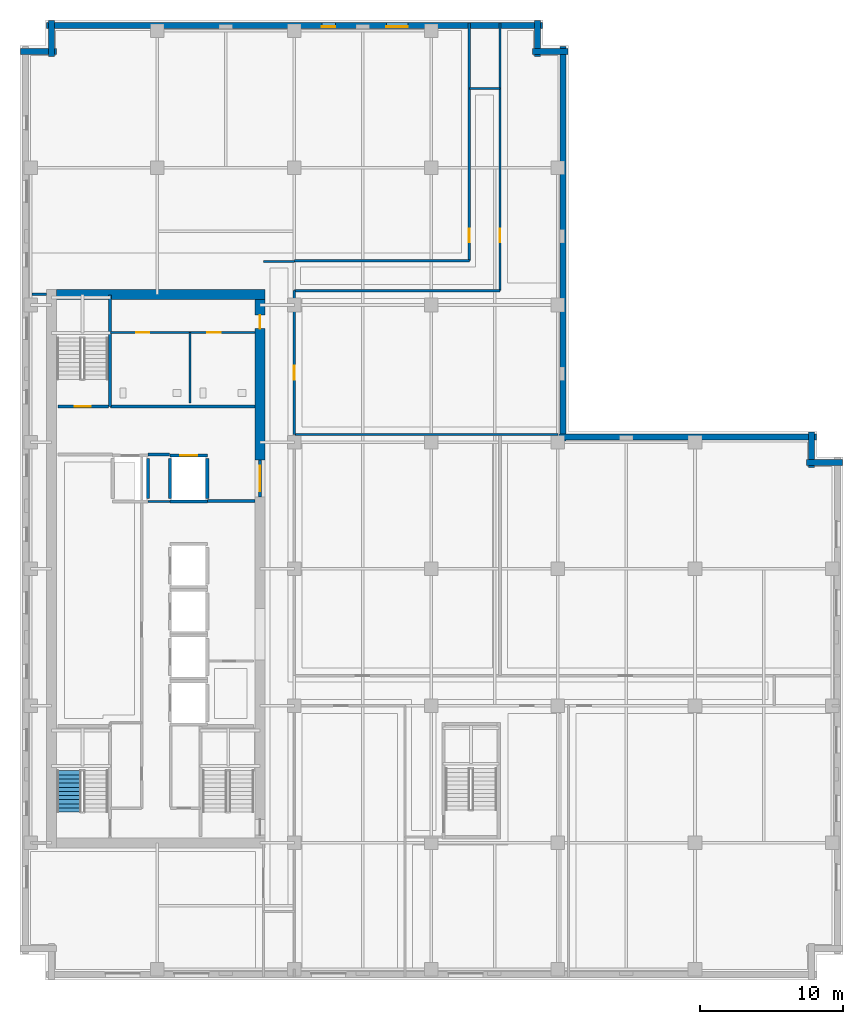
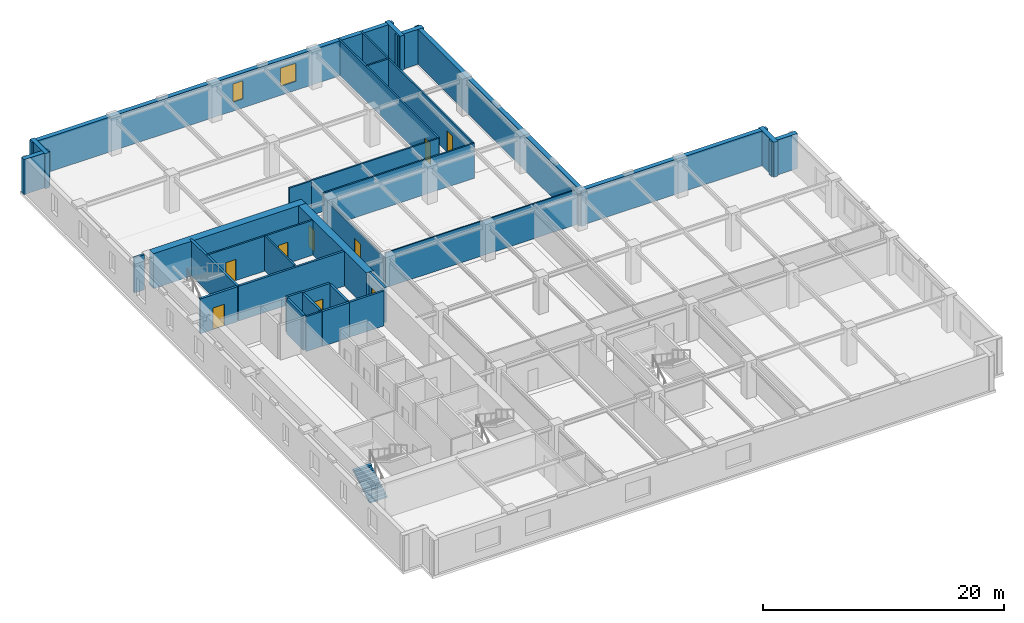
# One storey, part 7 of 13: 34 walls, 9 doors, 2 windows, 1 stair flight, 11 openings, 1 element without a shape of its own.
"""IFC4 building model written with IfcOpenShell, lengths in metres."""

from ifc_helpers import new_model, si_unit, direction, frame, frame_2d, origin, place, context, subcontext, project, spatial, polyline, rectangle, outline, extrude, material, layer, layer_set, type_object, element, fill, aggregate, save


model = new_model("IFC4")

# Units and contexts
model_context = context("Model", 3, precision=1e-05, world=origin(), true_north=direction((0.0, 1.0)))
body_context = subcontext(model_context, "Body", "Model", "MODEL_VIEW")
ifc_project = project(units=[si_unit("LENGTHUNIT", "METRE"), si_unit("AREAUNIT", "SQUARE_METRE"), si_unit("VOLUMEUNIT", "CUBIC_METRE"), si_unit("PLANEANGLEUNIT", "RADIAN"), si_unit("MASSUNIT", "GRAM", prefix="KILO")], contexts=[model_context])

# Site, building, storey
site_placement = place(None, origin())
site = spatial("IfcSite", under=ifc_project, at=site_placement, CompositionType="ELEMENT")
building_placement = place(site_placement, origin())
building = spatial("IfcBuilding", under=site, at=building_placement, Name="Norrvale University Quadrangle", CompositionType="ELEMENT")
storey_placement = place(building_placement, frame((0.0, 0.0, 159.800048828125)))
storey = spatial("IfcBuildingStorey", under=building, at=storey_placement, Name="L40", CompositionType="ELEMENT", Elevation=159.800048828125)

# Walls
ifc_material_1 = material(Name="Buff Norman Clay Brick Masonry", Category="masonry")
ifc_layer_1 = layer(ifc_material_1, 0.419921875, Name="Buff Norman Clay Brick Masonry")
ifc_layer_set_1 = layer_set([ifc_layer_1], Name="Buff Norman Clay Brick Masonry")
wall_type_1 = type_object("IfcWallType", Name="Wall Buff Brick 420", PredefinedType="SOLIDWALL", material=ifc_layer_set_1)
for number, where, z_axis, x_axis, name in (
    (1, (57.56005859375, 36.2099609375, 0.0), (0.0, 0.0, 1.0), (-1.0, 0.0, 0.0), "Exterior Brick Facade Wall L40-05.1"),
    (2, (55.409912109375, 35.860107421875, 0.0), (0.0, 0.0, 1.0), (0.0, 1.0, 0.0), "Exterior Brick Facade Wall L40-06.1"),
):
    element("IfcWall", number, at=place(storey_placement, frame(where, z_axis=z_axis, x_axis=x_axis)), inside=storey, type_object=wall_type_1, Name=name, PredefinedType="SOLIDWALL", context=body_context, shape_type="SweptSolid", body=[
        extrude(rectangle(XDim=2.5, YDim=0.419921875, at=frame_2d((1.25, 0.0))), origin(), (0.0, 0.0, 1.0), 3.5400390625),
    ])
wall_1_placement = place(storey_placement, frame((55.760009765625, 38.010009765625, 0.0), z_axis=(0.0, 0.0, 1.0), x_axis=(-1.0, 0.0, 0.0)))
element("IfcWall", 3, at=wall_1_placement, inside=storey, type_object=wall_type_1, Name="Exterior Brick Facade Wall L40-07.1", PredefinedType="SOLIDWALL", context=body_context, shape_type="SweptSolid", body=[
    extrude(rectangle(XDim=18.10009765625, YDim=0.419921875, at=frame_2d((9.050048828125, 0.0))), origin(), (0.0, 0.0, 1.0), 3.5400390625),
])
wall_2_placement = place(storey_placement, frame((38.010009765625, 37.659912109375, 0.0), z_axis=(0.0, 0.0, 1.0), x_axis=(0.0, 1.0, 0.0)))
element("IfcWall", 4, at=wall_2_placement, inside=storey, type_object=wall_type_1, Name="Exterior Brick Facade Wall L40-08.1", PredefinedType="SOLIDWALL", context=body_context, shape_type="SweptSolid", body=[
    extrude(rectangle(XDim=27.7001953125, YDim=0.419921875, at=frame_2d((13.85009765625, 0.0))), origin(), (0.0, 0.0, 1.0), 3.5400390625),
])
for number, where, z_axis, x_axis, name in (
    (5, (38.360107421875, 65.010009765625, 0.0), (0.0, 0.0, 1.0), (-1.0, 0.0, 0.0), "Exterior Brick Facade Wall L40-09.1"),
    (6, (36.2099609375, 64.659912109375, 0.0), (0.0, 0.0, 1.0), (0.0, 1.0, 0.0), "Exterior Brick Facade Wall L40-10.1"),
):
    element("IfcWall", number, at=place(storey_placement, frame(where, z_axis=z_axis, x_axis=x_axis)), inside=storey, type_object=wall_type_1, Name=name, PredefinedType="SOLIDWALL", context=body_context, shape_type="SweptSolid", body=[
        extrude(rectangle(XDim=2.5, YDim=0.419921875, at=frame_2d((1.25, 0.0))), origin(), (0.0, 0.0, 1.0), 3.5400390625),
    ])

# Wall, openings, windows
wall_3_placement = place(storey_placement, frame((36.56005859375, 66.81005859375, 0.0), z_axis=(0.0, 0.0, 1.0), x_axis=(-1.0, 0.0, 0.0)))
wall_3 = element("IfcWall", 7, at=wall_3_placement, inside=storey, type_object=wall_type_1, Name="Exterior Brick Facade Wall L40-11.1", PredefinedType="SOLIDWALL", context=body_context, shape_type="SweptSolid", body=[
    extrude(rectangle(XDim=34.719970703125, YDim=0.419921875, at=frame_2d((17.35986328125, 0.0))), origin(), (0.0, 0.0, 1.0), 3.5400390625),
])
opening_1_placement = place(wall_3_placement, frame((9.409912109375, 0.0, 0.89990234375)))
opening_1 = element("IfcOpeningElement", 8, at=opening_1_placement, cuts=wall_3, Name="Opening W03", PredefinedType="OPENING", context=body_context, shape_type="SweptSolid", body=[
    extrude(rectangle(XDim=1.5, YDim=1.85009765625, at=frame_2d((0.75, 0.925048828125))), frame((0.0, 0.221923828125, 0.0), z_axis=(0.0, -1.0, 0.0), x_axis=(1.0, 0.0, 0.0)), (0.0, 0.0, 1.0), 0.44384765625),
])
opening_2_placement = place(wall_3_placement, frame((14.485107421875, 0.0, 0.89990234375)))
opening_2 = element("IfcOpeningElement", 9, at=opening_2_placement, cuts=wall_3, Name="Opening W04", PredefinedType="OPENING", context=body_context, shape_type="SweptSolid", body=[
    extrude(rectangle(XDim=0.949951171875, YDim=1.85009765625, at=frame_2d((0.47509765625, 0.925048828125))), frame((0.0, 0.221923828125, 0.0), z_axis=(0.0, -1.0, 0.0), x_axis=(1.0, 0.0, 0.0)), (0.0, 0.0, 1.0), 0.44384765625),
])
ifc_material_2 = material(Name="Triple Low-E Argon Glazing", Category="glass")
window_type_1 = type_object("IfcWindowType", Name="Window Narrow Pier 950x2300", PartitioningType="SINGLE_PANEL", PredefinedType="WINDOW", material=ifc_material_2)
window_1_placement = place(opening_2_placement, origin())
window_1 = element("IfcWindow", 10, at=window_1_placement, inside=storey, type_object=window_type_1, Name="Window Narrow Pier 950x2300 WIN-L40-E11-1-02", OverallHeight=1.85009765625, OverallWidth=0.949951171875, PartitioningType="SINGLE_PANEL", PredefinedType="WINDOW", context=body_context, shape_type="SweptSolid", body=[
    extrude(rectangle(XDim=0.949951171875, YDim=1.85009765625, at=frame_2d((0.47509765625, 0.925048828125))), frame((0.0, 0.110107421875, 0.0), z_axis=(0.0, -1.0, 0.0), x_axis=(1.0, 0.0, 0.0)), (0.0, 0.0, 1.0), 0.06005859375),
])
fill(opening_2, window_1)
window_type_2 = type_object("IfcWindowType", Name="Window Studio 1500x2300", PartitioningType="DOUBLE_PANEL_VERTICAL", PredefinedType="WINDOW", material=ifc_material_2)
window_2_placement = place(opening_1_placement, origin())
window_2 = element("IfcWindow", 11, at=window_2_placement, inside=storey, type_object=window_type_2, Name="Window Studio 1500x2300 WIN-L40-E11-1-01", OverallHeight=1.85009765625, OverallWidth=1.5, PartitioningType="DOUBLE_PANEL_VERTICAL", PredefinedType="WINDOW", context=body_context, shape_type="SweptSolid", body=[
    extrude(rectangle(XDim=1.5, YDim=1.85009765625, at=frame_2d((0.75, 0.925048828125))), frame((0.0, 0.110107421875, 0.0), z_axis=(0.0, -1.0, 0.0), x_axis=(1.0, 0.0, 0.0)), (0.0, 0.0, 1.0), 0.06005859375),
])
fill(opening_1, window_2)

# Walls
for number, where, z_axis, x_axis, name in (
    (12, (2.18994140625, 67.159912109375, 0.0), (0.0, 0.0, 1.0), (0.0, -1.0, 0.0), "Exterior Brick Facade Wall L40-12.1"),
    (13, (2.5400390625, 65.010009765625, 0.0), (0.0, 0.0, 1.0), (-1.0, 0.0, 0.0), "Exterior Brick Facade Wall L40-13.1"),
):
    element("IfcWall", number, at=place(storey_placement, frame(where, z_axis=z_axis, x_axis=x_axis)), inside=storey, type_object=wall_type_1, Name=name, PredefinedType="SOLIDWALL", context=body_context, shape_type="SweptSolid", body=[
        extrude(rectangle(XDim=2.5, YDim=0.419921875, at=frame_2d((1.25, 0.0))), origin(), (0.0, 0.0, 1.0), 3.5400390625),
    ])
ifc_material_3 = material(Name="Concrete C60/75", Category="concrete")
ifc_layer_2 = layer(ifc_material_3, 0.699951171875, Name="Concrete C60/75")
ifc_layer_set_2 = layer_set([ifc_layer_2], Name="Concrete C60/75")
wall_type_2 = type_object("IfcWallType", Name="Wall Core 700", PredefinedType="SHEAR", material=ifc_layer_set_2)
wall_4_placement = place(storey_placement, frame((2.550048828125, 48.0, 0.0), z_axis=(0.0, 0.0, 1.0), x_axis=(1.0, 0.0, 0.0)))
element("IfcWall", 14, at=wall_4_placement, inside=storey, type_object=wall_type_2, Name="Tower Core Shear Wall L40-N", PredefinedType="SHEAR", context=body_context, shape_type="SweptSolid", body=[
    extrude(rectangle(XDim=14.599853515625, YDim=0.699951171875, at=frame_2d((7.2998046875, 0.0))), origin(), (0.0, 0.0, 1.0), 3.5400390625),
])

# Wall, opening, door
wall_5_placement = place(storey_placement, frame((16.800048828125, 36.39990234375, 0.0), z_axis=(0.0, 0.0, 1.0), x_axis=(0.0, 1.0, 0.0)))
wall_5 = element("IfcWall", 15, at=wall_5_placement, inside=storey, type_object=wall_type_2, Name="Tower Core Shear Wall L40-E3", PredefinedType="SHEAR", context=body_context, shape_type="SweptSolid", body=[
    extrude(rectangle(XDim=11.25, YDim=0.699951171875, at=frame_2d((5.625, 0.0))), origin(), (0.0, 0.0, 1.0), 3.5400390625),
])
opening_3_placement = place(wall_5_placement, frame((9.199951171875, 0.0, 0.0)))
opening_3 = element("IfcOpeningElement", 16, at=opening_3_placement, cuts=wall_5, Name="Opening D07", PredefinedType="OPENING", context=body_context, shape_type="SweptSolid", body=[
    extrude(rectangle(XDim=0.949951171875, YDim=2.14990234375, at=frame_2d((0.47509765625, 1.074951171875))), frame((0.0, 0.362060546875, 0.0), z_axis=(0.0, -1.0, 0.0), x_axis=(1.0, 0.0, 0.0)), (0.0, 0.0, 1.0), 0.723876953125),
])
ifc_material_4 = material(Name="Solid-Core Maple Door", Category="wood")
door_type_1 = type_object("IfcDoorType", Name="Door Office 950x2150", OperationType="NOTDEFINED", PredefinedType="DOOR", material=ifc_material_4)
door_1_placement = place(opening_3_placement, origin())
door_1 = element("IfcDoor", 17, at=door_1_placement, inside=storey, type_object=door_type_1, Name="Door Office 950x2150 DR-L40-NECORR", OperationType="SINGLE_SWING_LEFT", OverallHeight=2.14990234375, OverallWidth=0.949951171875, PredefinedType="DOOR", context=body_context, shape_type="SweptSolid", body=[
    extrude(rectangle(XDim=0.949951171875, YDim=2.14990234375, at=frame_2d((0.47509765625, 1.074951171875))), frame((0.0, 0.02490234375, 0.0), z_axis=(0.0, -1.0, 0.0), x_axis=(1.0, 0.0, 0.0)), (0.0, 0.0, 1.0), 0.050048828125),
])
fill(opening_3, door_1)

# Walls
ifc_material_5 = material(Name="Standard Academic Gypsum Partition")
ifc_layer_3 = layer(ifc_material_5, 0.125, Name="Standard Academic Gypsum Partition")
ifc_layer_set_3 = layer_set([ifc_layer_3], Name="Standard Academic Gypsum Partition")
wall_type_3 = type_object("IfcWallType", Name="Wall Gypsum Academic 125", PredefinedType="PARTITIONING", material=ifc_layer_set_3)
wall_6_placement = place(storey_placement, frame((19.280029296875, 38.179931640625, 0.0), z_axis=(0.0, 0.0, 1.0), x_axis=(1.0, 0.0, 0.0)))
element("IfcWall", 18, at=wall_6_placement, inside=storey, type_object=wall_type_3, Name="Interior Partition WL-L40-ME-N", PredefinedType="PARTITIONING", context=body_context, shape_type="SweptSolid", body=[
    extrude(rectangle(XDim=18.369873046875, YDim=0.125, at=frame_2d((9.18505859375, 0.0))), origin(), (0.0, 0.0, 1.0), 3.5400390625),
])
ifc_material_6 = material(Name="Fire-Rated Gypsum Stud Partition")
ifc_layer_4 = layer(ifc_material_6, 0.14990234375, Name="Fire-Rated Gypsum Stud Partition")
ifc_layer_set_4 = layer_set([ifc_layer_4], Name="Fire-Rated Gypsum Stud Partition")
wall_type_4 = type_object("IfcWallType", Name="Wall Gypsum Corridor 150", PredefinedType="PARTITIONING", material=ifc_layer_set_4)
wall_7_placement = place(storey_placement, frame((8.965087890625, 33.489990234375, 0.0), z_axis=(0.0, 0.0, 1.0), x_axis=(1.0, 0.0, 0.0)))
element("IfcWall", 19, at=wall_7_placement, inside=storey, type_object=wall_type_4, Name="Interior Partition WL-L40-LL3", PredefinedType="PARTITIONING", context=body_context, shape_type="SweptSolid", body=[
    extrude(rectangle(XDim=1.52001953125, YDim=0.14990234375, at=frame_2d((0.760009765625, 0.0))), origin(), (0.0, 0.0, 1.0), 3.5400390625),
])
wall_8_placement = place(storey_placement, frame((17.050048828125, 50.300048828125, 0.0), z_axis=(0.0, 0.0, 1.0), x_axis=(1.0, 0.0, 0.0)))
element("IfcWall", 20, at=wall_8_placement, inside=storey, type_object=wall_type_4, Name="Interior Partition WL-L40-CSP-N", PredefinedType="PARTITIONING", context=body_context, shape_type="SweptSolid", body=[
    extrude(rectangle(XDim=2.14990234375, YDim=0.14990234375, at=frame_2d((1.074951171875, 0.0))), origin(), (0.0, 0.0, 1.0), 3.5400390625),
])

# Wall, opening, door
wall_9_placement = place(storey_placement, frame((19.199951171875, 38.179931640625, 0.0), z_axis=(0.0, 0.0, 1.0), x_axis=(0.0, 1.0, 0.0)))
wall_9 = element("IfcWall", 21, at=wall_9_placement, inside=storey, type_object=wall_type_4, Name="Interior Partition WL-L40-MNECW", PredefinedType="PARTITIONING", context=body_context, shape_type="SweptSolid", body=[
    extrude(rectangle(XDim=10.070068359375, YDim=0.14990234375, at=frame_2d((5.03515625, 0.0))), origin(), (0.0, 0.0, 1.0), 3.123046875),
])
opening_4_placement = place(wall_9_placement, frame((3.85009765625, 0.0, 0.0)))
opening_4 = element("IfcOpeningElement", 22, at=opening_4_placement, cuts=wall_9, Name="Opening D07", PredefinedType="OPENING", context=body_context, shape_type="SweptSolid", body=[
    extrude(rectangle(XDim=0.949951171875, YDim=2.14990234375, at=frame_2d((0.47509765625, 1.074951171875))), frame((0.0, 0.0869140625, 0.0), z_axis=(0.0, -1.0, 0.0), x_axis=(1.0, 0.0, 0.0)), (0.0, 0.0, 1.0), 0.173828125),
])
door_2_placement = place(opening_4_placement, origin())
door_2 = element("IfcDoor", 23, at=door_2_placement, inside=storey, type_object=door_type_1, Name="Door Office 950x2150 DR-L40-MNE01", OperationType="SINGLE_SWING_RIGHT", OverallHeight=2.14990234375, OverallWidth=0.949951171875, PredefinedType="DOOR", context=body_context, shape_type="SweptSolid", body=[
    extrude(rectangle(XDim=0.949951171875, YDim=2.14990234375, at=frame_2d((0.47509765625, 1.074951171875))), frame((0.0, 0.02490234375, 0.0), z_axis=(0.0, -1.0, 0.0), x_axis=(1.0, 0.0, 0.0)), (0.0, 0.0, 1.0), 0.050048828125),
])
fill(opening_4, door_2)

# Walls
wall_10_placement = place(storey_placement, frame((19.199951171875, 48.25, 0.0), z_axis=(0.0, 0.0, 1.0), x_axis=(1.0, 0.0, 0.0)))
element("IfcWall", 24, at=wall_10_placement, inside=storey, type_object=wall_type_4, Name="Interior Partition WL-L40-JOGS", PredefinedType="PARTITIONING", context=body_context, shape_type="SweptSolid", body=[
    extrude(rectangle(XDim=14.400146484375, YDim=0.14990234375, at=frame_2d((7.2001953125, 0.0))), origin(), (0.0, 0.0, 1.0), 3.5400390625),
])
wall_11_placement = place(storey_placement, frame((19.199951171875, 50.35009765625, 0.0), z_axis=(0.0, 0.0, 1.0), x_axis=(1.0, 0.0, 0.0)))
element("IfcWall", 25, at=wall_11_placement, inside=storey, type_object=wall_type_4, Name="Interior Partition WL-L40-JOGN", PredefinedType="PARTITIONING", context=body_context, shape_type="SweptSolid", body=[
    extrude(rectangle(XDim=12.25, YDim=0.14990234375, at=frame_2d((6.125, 0.0))), origin(), (0.0, 0.0, 1.0), 3.5400390625),
])
wall_12_placement = place(storey_placement, frame((31.449951171875, 62.39990234375, 0.0), z_axis=(0.0, 0.0, 1.0), x_axis=(1.0, 0.0, 0.0)))
element("IfcWall", 26, at=wall_12_placement, inside=storey, type_object=wall_type_4, Name="Interior Partition WL-L40-JOGEND", PredefinedType="PARTITIONING", context=body_context, shape_type="SweptSolid", body=[
    extrude(rectangle(XDim=2.150146484375, YDim=0.14990234375, at=frame_2d((1.0751953125, 0.0))), origin(), (0.0, 0.0, 1.0), 3.5400390625),
])

# Wall, opening, door
wall_13_placement = place(storey_placement, frame((33.60009765625, 48.25, 0.0), z_axis=(0.0, 0.0, 1.0), x_axis=(0.0, 1.0, 0.0)))
wall_13 = element("IfcWall", 27, at=wall_13_placement, inside=storey, type_object=wall_type_4, Name="Interior Partition WL-L40-NECW", PredefinedType="PARTITIONING", context=body_context, shape_type="SweptSolid", body=[
    extrude(rectangle(XDim=18.72998046875, YDim=0.14990234375, at=frame_2d((9.364990234375, 0.0))), origin(), (0.0, 0.0, 1.0), 3.5400390625),
])
opening_5_placement = place(wall_13_placement, frame((3.39990234375, 0.0, 0.0)))
opening_5 = element("IfcOpeningElement", 28, at=opening_5_placement, cuts=wall_13, Name="Opening D07", PredefinedType="OPENING", context=body_context, shape_type="SweptSolid", body=[
    extrude(rectangle(XDim=0.949951171875, YDim=2.14990234375, at=frame_2d((0.47509765625, 1.074951171875))), frame((0.0, 0.0869140625, 0.0), z_axis=(0.0, -1.0, 0.0), x_axis=(1.0, 0.0, 0.0)), (0.0, 0.0, 1.0), 0.173828125),
])
door_3_placement = place(opening_5_placement, origin())
door_3 = element("IfcDoor", 29, at=door_3_placement, inside=storey, type_object=door_type_1, Name="Door Office 950x2150 DR-L40-NE01", OperationType="SINGLE_SWING_RIGHT", OverallHeight=2.14990234375, OverallWidth=0.949951171875, PredefinedType="DOOR", context=body_context, shape_type="SweptSolid", body=[
    extrude(rectangle(XDim=0.949951171875, YDim=2.14990234375, at=frame_2d((0.47509765625, 1.074951171875))), frame((0.0, 0.02490234375, 0.0), z_axis=(0.0, -1.0, 0.0), x_axis=(1.0, 0.0, 0.0)), (0.0, 0.0, 1.0), 0.050048828125),
])
fill(opening_5, door_3)

wall_14_placement = place(storey_placement, frame((31.449951171875, 50.35009765625, 0.0), z_axis=(0.0, 0.0, 1.0), x_axis=(0.0, 1.0, 0.0)))
wall_14 = element("IfcWall", 30, at=wall_14_placement, inside=storey, type_object=wall_type_4, Name="Interior Partition WL-L40-NWCW", PredefinedType="PARTITIONING", context=body_context, shape_type="SweptSolid", body=[
    extrude(rectangle(XDim=16.6298828125, YDim=0.14990234375, at=frame_2d((8.31494140625, 0.0))), origin(), (0.0, 0.0, 1.0), 3.5400390625),
])
opening_6_placement = place(wall_14_placement, frame((1.300048828125, 0.0, 0.0)))
opening_6 = element("IfcOpeningElement", 31, at=opening_6_placement, cuts=wall_14, Name="Opening D07", PredefinedType="OPENING", context=body_context, shape_type="SweptSolid", body=[
    extrude(rectangle(XDim=0.949951171875, YDim=2.14990234375, at=frame_2d((0.47509765625, 1.074951171875))), frame((0.0, 0.0869140625, 0.0), z_axis=(0.0, -1.0, 0.0), x_axis=(1.0, 0.0, 0.0)), (0.0, 0.0, 1.0), 0.173828125),
])
door_4_placement = place(opening_6_placement, origin())
door_4 = element("IfcDoor", 32, at=door_4_placement, inside=storey, type_object=door_type_1, Name="Door Office 950x2150 DR-L40-NW01", OperationType="SINGLE_SWING_RIGHT", OverallHeight=2.14990234375, OverallWidth=0.949951171875, PredefinedType="DOOR", context=body_context, shape_type="SweptSolid", body=[
    extrude(rectangle(XDim=0.949951171875, YDim=2.14990234375, at=frame_2d((0.47509765625, 1.074951171875))), frame((0.0, 0.02490234375, 0.0), z_axis=(0.0, -1.0, 0.0), x_axis=(1.0, 0.0, 0.0)), (0.0, 0.0, 1.0), 0.050048828125),
])
fill(opening_6, door_4)

# Wall, openings, doors
ifc_material_7 = material(Name="Sanitary Chase Gypsum Partition")
ifc_layer_5 = layer(ifc_material_7, 0.1650390625, Name="Sanitary Chase Gypsum Partition")
ifc_layer_set_5 = layer_set([ifc_layer_5], Name="Sanitary Chase Gypsum Partition")
wall_type_5 = type_object("IfcWallType", Name="Wall Gypsum Sanitary 165", PredefinedType="PLUMBINGWALL", material=ifc_layer_set_5)
wall_15_placement = place(storey_placement, frame((6.320068359375, 45.320068359375, 0.0), z_axis=(0.0, 0.0, 1.0), x_axis=(1.0, 0.0, 0.0)))
wall_15 = element("IfcWall", 33, at=wall_15_placement, inside=storey, type_object=wall_type_5, Name="Interior Partition WL-L40-WCN", PredefinedType="PLUMBINGWALL", context=body_context, shape_type="SweptSolid", body=[
    extrude(rectangle(XDim=10.1298828125, YDim=0.1650390625, at=frame_2d((5.06494140625, 0.0))), origin(), (0.0, 0.0, 1.0), 3.5400390625),
])
opening_7_placement = place(wall_15_placement, frame((1.800048828125, 0.0, 0.0)))
opening_7 = element("IfcOpeningElement", 34, at=opening_7_placement, cuts=wall_15, Name="Opening D08", PredefinedType="OPENING", context=body_context, shape_type="SweptSolid", body=[
    extrude(rectangle(XDim=0.919921875, YDim=2.14990234375, at=frame_2d((0.4599609375, 1.074951171875))), frame((0.0, 0.094482421875, 0.0), z_axis=(0.0, -1.0, 0.0), x_axis=(1.0, 0.0, 0.0)), (0.0, 0.0, 1.0), 0.18896484375),
])
opening_8_placement = place(wall_15_placement, frame((6.800048828125, 0.0, 0.0)))
opening_8 = element("IfcOpeningElement", 35, at=opening_8_placement, cuts=wall_15, Name="Opening D08", PredefinedType="OPENING", context=body_context, shape_type="SweptSolid", body=[
    extrude(rectangle(XDim=0.919921875, YDim=2.14990234375, at=frame_2d((0.4599609375, 1.074951171875))), frame((0.0, 0.094482421875, 0.0), z_axis=(0.0, -1.0, 0.0), x_axis=(1.0, 0.0, 0.0)), (0.0, 0.0, 1.0), 0.18896484375),
])
ifc_material_8 = material(Name="Laminate Washroom Door", Category="wood")
door_type_2 = type_object("IfcDoorType", Name="Door Washroom 920x2150", OperationType="NOTDEFINED", PredefinedType="DOOR", material=ifc_material_8)
door_5_placement = place(opening_7_placement, origin())
door_5 = element("IfcDoor", 36, at=door_5_placement, inside=storey, type_object=door_type_2, Name="Door Washroom 920x2150 DR-L40-WC1", OperationType="SINGLE_SWING_LEFT", OverallHeight=2.14990234375, OverallWidth=0.919921875, PredefinedType="DOOR", context=body_context, shape_type="SweptSolid", body=[
    extrude(rectangle(XDim=0.919921875, YDim=2.14990234375, at=frame_2d((0.4599609375, 1.074951171875))), frame((0.0, 0.02490234375, 0.0), z_axis=(0.0, -1.0, 0.0), x_axis=(1.0, 0.0, 0.0)), (0.0, 0.0, 1.0), 0.050048828125),
])
fill(opening_7, door_5)
door_6_placement = place(opening_8_placement, origin())
door_6 = element("IfcDoor", 37, at=door_6_placement, inside=storey, type_object=door_type_2, Name="Door Washroom 920x2150 DR-L40-WC2", OperationType="SINGLE_SWING_RIGHT", OverallHeight=2.14990234375, OverallWidth=0.919921875, PredefinedType="DOOR", context=body_context, shape_type="SweptSolid", body=[
    extrude(rectangle(XDim=0.919921875, YDim=2.14990234375, at=frame_2d((0.4599609375, 1.074951171875))), frame((0.0, 0.02490234375, 0.0), z_axis=(0.0, -1.0, 0.0), x_axis=(1.0, 0.0, 0.0)), (0.0, 0.0, 1.0), 0.050048828125),
])
fill(opening_8, door_6)

# Walls
wall_16_placement = place(storey_placement, frame((11.89990234375, 40.39990234375, 0.0), z_axis=(0.0, 0.0, 1.0), x_axis=(0.0, 1.0, 0.0)))
element("IfcWall", 38, at=wall_16_placement, inside=storey, type_object=wall_type_5, Name="Interior Partition WL-L40-WCM1", PredefinedType="PLUMBINGWALL", context=body_context, shape_type="SweptSolid", body=[
    extrude(rectangle(XDim=4.920166015625, YDim=0.1650390625, at=frame_2d((2.4599609375, 0.0))), origin(), (0.0, 0.0, 1.0), 3.5400390625),
])
ifc_material_9 = material(Name="Concrete Blockwork 20 MPa Rated Wall", Category="masonry")
ifc_layer_6 = layer(ifc_material_9, 0.199951171875, Name="Concrete Blockwork 20 MPa Rated Wall")
ifc_layer_set_6 = layer_set([ifc_layer_6], Name="Concrete Blockwork 20 MPa Rated Wall")
wall_type_6 = type_object("IfcWallType", Name="Wall Lobby 200", PredefinedType="SOLIDWALL", material=ifc_layer_set_6)
wall_17_placement = place(storey_placement, frame((8.969970703125, 36.780029296875, 0.0), z_axis=(0.0, 0.0, 1.0), x_axis=(1.0, 0.0, 0.0)))
element("IfcWall", 39, at=wall_17_placement, inside=storey, type_object=wall_type_6, Name="Interior Partition WL-L40-FF2", PredefinedType="SOLIDWALL", context=body_context, shape_type="SweptSolid", body=[
    extrude(rectangle(XDim=1.510009765625, YDim=0.199951171875, at=frame_2d((0.7548828125, 0.0))), origin(), (0.0, 0.0, 1.0), 3.5400390625),
])
wall_18_placement = place(storey_placement, frame((13.1201171875, 33.52001953125, 0.0), z_axis=(0.0, 0.0, 1.0), x_axis=(1.0, 0.0, 0.0)))
element("IfcWall", 40, at=wall_18_placement, inside=storey, type_object=wall_type_6, Name="Interior Partition WL-L40-FF3", PredefinedType="SOLIDWALL", context=body_context, shape_type="SweptSolid", body=[
    extrude(rectangle(XDim=3.329833984375, YDim=0.199951171875, at=frame_2d((1.6650390625, 0.0))), origin(), (0.0, 0.0, 1.0), 3.5400390625),
])
wall_19_placement = place(storey_placement, frame((6.320068359375, 40.139892578125, 0.0), z_axis=(0.0, 0.0, 1.0), x_axis=(1.0, 0.0, 0.0)))
element("IfcWall", 41, at=wall_19_placement, inside=storey, type_object=wall_type_6, Name="Interior Partition WL-L40-FF4", PredefinedType="SOLIDWALL", context=body_context, shape_type="SweptSolid", body=[
    extrude(rectangle(XDim=10.1298828125, YDim=0.199951171875, at=frame_2d((5.06494140625, 0.0))), origin(), (0.0, 0.0, 1.0), 3.5400390625),
])

# Wall, opening, door
wall_20_placement = place(storey_placement, frame((16.800048828125, 33.800048828125, 0.0), z_axis=(0.0, 0.0, 1.0), x_axis=(0.0, 1.0, 0.0)))
wall_20 = element("IfcWall", 42, at=wall_20_placement, inside=storey, type_object=wall_type_6, Name="Interior Partition WL-L40-FFP", PredefinedType="SOLIDWALL", context=body_context, shape_type="SweptSolid", body=[
    extrude(rectangle(XDim=2.599853515625, YDim=0.199951171875, at=frame_2d((1.2998046875, 0.0))), origin(), (0.0, 0.0, 1.0), 3.5400390625),
])
opening_9_placement = place(wall_20_placement, frame((0.39990234375, 0.0, 0.0)))
opening_9 = element("IfcOpeningElement", 43, at=opening_9_placement, cuts=wall_20, Name="Opening D03", PredefinedType="OPENING", context=body_context, shape_type="SweptSolid", body=[
    extrude(rectangle(XDim=1.800048828125, YDim=2.199951171875, at=frame_2d((0.89990234375, 1.10009765625))), frame((0.0, 0.112060546875, 0.0), z_axis=(0.0, -1.0, 0.0), x_axis=(1.0, 0.0, 0.0)), (0.0, 0.0, 1.0), 0.223876953125),
])
ifc_material_10 = material(Name="Hollow Steel 350W Fire Door", Category="steel")
door_type_3 = type_object("IfcDoorType", Name="Door Fire Lobby 1800x2200", OperationType="DOUBLE_DOOR_SINGLE_SWING", PredefinedType="DOOR", material=ifc_material_10)
door_7_placement = place(opening_9_placement, origin())
door_7 = element("IfcDoor", 44, at=door_7_placement, inside=storey, type_object=door_type_3, Name="Door Fire Lobby 1800x2200 DR-L40-FFP", OperationType="DOUBLE_DOOR_SINGLE_SWING", OverallHeight=2.199951171875, OverallWidth=1.800048828125, PredefinedType="DOOR", context=body_context, shape_type="SweptSolid", body=[
    extrude(rectangle(XDim=1.800048828125, YDim=2.199951171875, at=frame_2d((0.89990234375, 1.10009765625))), frame((0.0, 0.02490234375, 0.0), z_axis=(0.0, -1.0, 0.0), x_axis=(1.0, 0.0, 0.0)), (0.0, 0.0, 1.0), 0.050048828125),
])
fill(opening_9, door_7)

# Wall
wall_21_placement = place(storey_placement, frame((0.85009765625, 48.0, 0.0), z_axis=(0.0, 0.0, 1.0), x_axis=(1.0, 0.0, 0.0)))
element("IfcWall", 45, at=wall_21_placement, inside=storey, type_object=wall_type_6, Name="Interior Partition WL-L40-CWRET-N", PredefinedType="SOLIDWALL", context=body_context, shape_type="SweptSolid", body=[
    extrude(rectangle(XDim=0.994873046875, YDim=0.199951171875, at=frame_2d((0.49755859375, 0.0))), origin(), (0.0, 0.0, 1.0), 3.5400390625),
])

# Wall, opening, door
ifc_material_11 = material(Name="Concrete Blockwork 20 MPa Fire Shaft", Category="masonry")
ifc_layer_7 = layer(ifc_material_11, 0.219970703125, Name="Concrete Blockwork 20 MPa Fire Shaft")
ifc_layer_set_7 = layer_set([ifc_layer_7], Name="Concrete Blockwork 20 MPa Fire Shaft")
wall_type_7 = type_object("IfcWallType", Name="Wall Shaft 220", PredefinedType="SOLIDWALL", material=ifc_layer_set_7)
wall_22_placement = place(storey_placement, frame((2.64990234375, 40.139892578125, 0.0), z_axis=(0.0, 0.0, 1.0), x_axis=(1.0, 0.0, 0.0)))
wall_22 = element("IfcWall", 46, at=wall_22_placement, inside=storey, type_object=wall_type_7, Name="Stair ST-02 South Shaft Wall L40", PredefinedType="SOLIDWALL", context=body_context, shape_type="SweptSolid", body=[
    extrude(rectangle(XDim=3.550048828125, YDim=0.219970703125, at=frame_2d((1.77490234375, 0.0))), origin(), (0.0, 0.0, 1.0), 3.5400390625),
])
opening_10_placement = place(wall_22_placement, frame((1.199951171875, 0.0, 0.0)))
opening_10 = element("IfcOpeningElement", 47, at=opening_10_placement, cuts=wall_22, Name="Opening D02", PredefinedType="OPENING", context=body_context, shape_type="SweptSolid", body=[
    extrude(rectangle(XDim=1.10009765625, YDim=2.199951171875, at=frame_2d((0.550048828125, 1.10009765625))), frame((0.0, 0.1220703125, 0.0), z_axis=(0.0, -1.0, 0.0), x_axis=(1.0, 0.0, 0.0)), (0.0, 0.0, 1.0), 0.243896484375),
])
door_type_4 = type_object("IfcDoorType", Name="Door Stair Exit 1100x2200", OperationType="NOTDEFINED", PredefinedType="DOOR", material=ifc_material_10)
door_8_placement = place(opening_10_placement, origin())
door_8 = element("IfcDoor", 48, at=door_8_placement, inside=storey, type_object=door_type_4, Name="Door Stair Exit 1100x2200 DR-L40-ST02", OperationType="SINGLE_SWING_LEFT", OverallHeight=2.199951171875, OverallWidth=1.10009765625, PredefinedType="DOOR", context=body_context, shape_type="SweptSolid", body=[
    extrude(rectangle(XDim=1.10009765625, YDim=2.199951171875, at=frame_2d((0.550048828125, 1.10009765625))), frame((0.0, 0.02490234375, 0.0), z_axis=(0.0, -1.0, 0.0), x_axis=(1.0, 0.0, 0.0)), (0.0, 0.0, 1.0), 0.050048828125),
])
fill(opening_10, door_8)

# Walls
wall_23_placement = place(storey_placement, frame((6.31005859375, 40.139892578125, 0.0), z_axis=(0.0, 0.0, 1.0), x_axis=(0.0, 1.0, 0.0)))
element("IfcWall", 49, at=wall_23_placement, inside=storey, type_object=wall_type_7, Name="Stair ST-02 East Shaft Wall L40", PredefinedType="SOLIDWALL", context=body_context, shape_type="SweptSolid", body=[
    extrude(rectangle(XDim=7.81005859375, YDim=0.219970703125, at=frame_2d((3.905029296875, 0.0))), origin(), (0.0, 0.0, 1.0), 3.5400390625),
])
for number, where, z_axis, x_axis, name in (
    (50, (8.9599609375, 33.7099609375, 0.0), (0.0, 0.0, 1.0), (0.0, 1.0, 0.0), "Hoistway FFL-01 East Wall L40"),
    (51, (10.489990234375, 33.7099609375, 0.0), (0.0, 0.0, 1.0), (0.0, 1.0, 0.0), "Hoistway FFL-02 West Wall L40"),
    (52, (13.110107421875, 33.7099609375, 0.0), (0.0, 0.0, 1.0), (0.0, 1.0, 0.0), "Hoistway FFL-02 East Wall L40"),
):
    element("IfcWall", number, at=place(storey_placement, frame(where, z_axis=z_axis, x_axis=x_axis)), inside=storey, type_object=wall_type_7, Name=name, PredefinedType="SOLIDWALL", context=body_context, shape_type="SweptSolid", body=[
        extrude(rectangle(XDim=2.780029296875, YDim=0.219970703125, at=frame_2d((1.39013671875, 0.0))), origin(), (0.0, 0.0, 1.0), 3.5400390625),
    ])
wall_24_placement = place(storey_placement, frame((10.489990234375, 33.489990234375, 0.0), z_axis=(0.0, 0.0, 1.0), x_axis=(1.0, 0.0, 0.0)))
element("IfcWall", 53, at=wall_24_placement, inside=storey, type_object=wall_type_7, Name="Hoistway FFL-02 South Wall L40", PredefinedType="SOLIDWALL", context=body_context, shape_type="SweptSolid", body=[
    extrude(rectangle(XDim=2.6201171875, YDim=0.219970703125, at=frame_2d((1.31005859375, 0.0))), origin(), (0.0, 0.0, 1.0), 3.5400390625),
])

# Wall, opening, door
wall_25_placement = place(storey_placement, frame((10.489990234375, 36.7099609375, 0.0), z_axis=(0.0, 0.0, 1.0), x_axis=(1.0, 0.0, 0.0)))
wall_25 = element("IfcWall", 54, at=wall_25_placement, inside=storey, type_object=wall_type_7, Name="Hoistway FFL-02 North Wall L40", PredefinedType="SOLIDWALL", context=body_context, shape_type="SweptSolid", body=[
    extrude(rectangle(XDim=2.6201171875, YDim=0.219970703125, at=frame_2d((1.31005859375, 0.0))), origin(), (0.0, 0.0, 1.0), 3.5400390625),
])
opening_11_placement = place(wall_25_placement, frame((0.7099609375, 0.0, 0.0)))
opening_11 = element("IfcOpeningElement", 55, at=opening_11_placement, cuts=wall_25, Name="Opening LD2", PredefinedType="OPENING", context=body_context, shape_type="SweptSolid", body=[
    extrude(rectangle(XDim=1.199951171875, YDim=2.199951171875, at=frame_2d((0.60009765625, 1.10009765625))), frame((0.0, 0.1220703125, 0.0), z_axis=(0.0, -1.0, 0.0), x_axis=(1.0, 0.0, 0.0)), (0.0, 0.0, 1.0), 0.243896484375),
])
ifc_material_12 = material(Name="Stainless Steel 316L Firefighter Lift Door", Category="steel")
door_type_5 = type_object("IfcDoorType", Name="Door Fire Lift 1200x2200", OperationType="DOUBLE_DOOR_SLIDING", PredefinedType="DOOR", material=ifc_material_12)
door_9_placement = place(opening_11_placement, origin())
door_9 = element("IfcDoor", 56, at=door_9_placement, inside=storey, type_object=door_type_5, Name="Elevator Landing Door DR-L40-FFL-02", OperationType="DOUBLE_DOOR_SLIDING", OverallHeight=2.199951171875, OverallWidth=1.199951171875, PredefinedType="DOOR", context=body_context, shape_type="SweptSolid", body=[
    extrude(rectangle(XDim=1.199951171875, YDim=2.199951171875, at=frame_2d((0.60009765625, 1.10009765625))), frame((0.0, 0.02490234375, 0.0), z_axis=(0.0, -1.0, 0.0), x_axis=(1.0, 0.0, 0.0)), (0.0, 0.0, 1.0), 0.050048828125),
])
fill(opening_11, door_9)

# Stair, stair flight
ifc_material_13 = material(Name="Concrete C40/50", Category="concrete")
stair_type = type_object("IfcStairType", Name="Stair Tower Typ 3800", PredefinedType="TWO_STRAIGHT_RUN_STAIR", material=ifc_material_13)
stair_placement = place(storey_placement, origin())
stair = element("IfcStair", 57, at=stair_placement, inside=storey, type_object=stair_type, Name="Exit Stair ST-01 L40", PredefinedType="TWO_STRAIGHT_RUN_STAIR")
stair_flight_type = type_object("IfcStairFlightType", Name="Flight Typ 1500", PredefinedType="STRAIGHT", material=ifc_material_13)
stair_flight_placement = place(storey_placement, frame((3.429931640625, 11.75, 0.0), z_axis=(0.0, 0.0, 1.0), x_axis=(0.0, 1.0, 0.0)))
stair_flight = element("IfcStairFlight", 58, at=stair_flight_placement, type_object=stair_flight_type, Name="Exit Stair ST-01 L40 Lower Flight", NumberOfRisers=11, NumberOfTreads=10, PredefinedType="STRAIGHT", RiserHeight=0.172727, TreadLength=0.29, context=body_context, shape_type="SweptSolid", body=[
    extrude(outline(polyline([(0.0, 0.0), (0.0, 0.172607421875), (0.2900390625, 0.172607421875), (0.2900390625, 0.345458984375), (0.580078125, 0.345458984375), (0.580078125, 0.51806640625), (0.8701171875, 0.51806640625), (0.8701171875, 0.69091796875), (1.159912109375, 0.69091796875), (1.159912109375, 0.863525390625), (1.449951171875, 0.863525390625), (1.449951171875, 1.036376953125), (1.739990234375, 1.036376953125), (1.739990234375, 1.208984375), (2.030029296875, 1.208984375), (2.030029296875, 1.3818359375), (2.320068359375, 1.3818359375), (2.320068359375, 1.554443359375), (2.610107421875, 1.554443359375), (2.610107421875, 1.727294921875), (2.89990234375, 1.727294921875), (2.89990234375, 1.89990234375), (2.89990234375, 1.552734375), (0.29296875, 0.0), (0.0, 0.0)])), frame((0.0, 0.83984375, 0.0), z_axis=(0.0, -1.0, 0.0), x_axis=(1.0, 0.0, 0.0)), (0.0, 0.0, 1.0), 1.679931640625),
])
aggregate(stair, [stair_flight])

save(model, "model.ifc")
